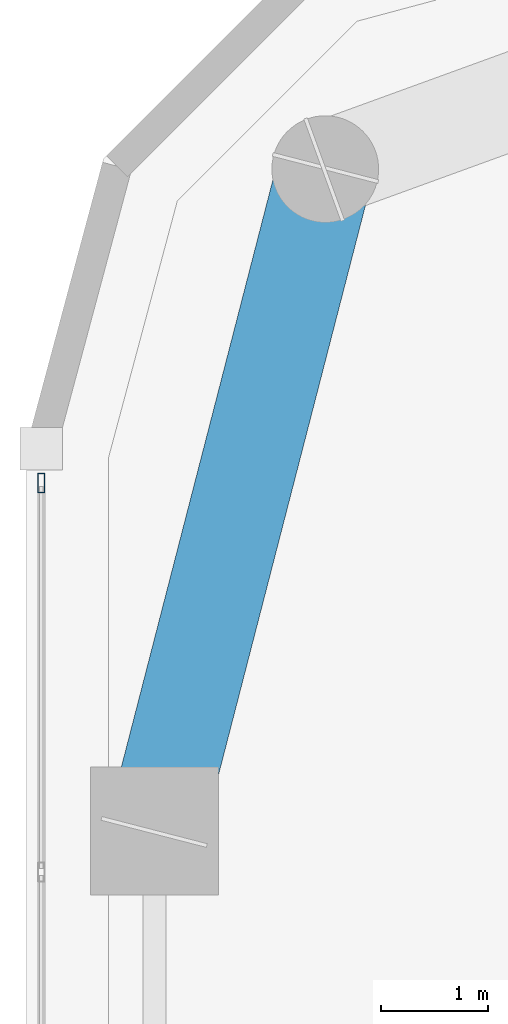
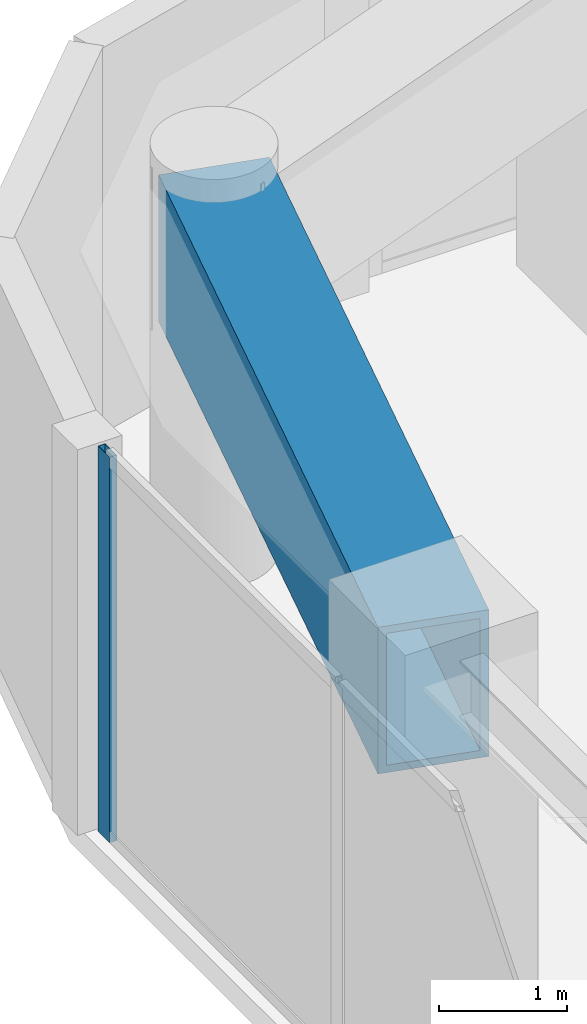
# One storey, part 15 of 30: 1 beam, 1 member, 1 element without a shape of its own.
"""IFC4 building model written with IfcOpenShell, lengths in metres."""

from ifc_helpers import new_model, si_unit, direction, frame, origin, origin_2d, place, context, subcontext, project, spatial, hollow_rectangle, extrude, material, layer, layer_set, material_profile, profile_set, type_object, element, aggregate, save


model = new_model("IFC4")

# Units and contexts
model_context = context("Model", 3, precision=1e-05, world=origin(), true_north=direction((0.0, 1.0)))
body_context = subcontext(model_context, "Body", "Model", "MODEL_VIEW")
ifc_project = project(units=[si_unit("LENGTHUNIT", "METRE"), si_unit("AREAUNIT", "SQUARE_METRE"), si_unit("VOLUMEUNIT", "CUBIC_METRE"), si_unit("PLANEANGLEUNIT", "RADIAN"), si_unit("MASSUNIT", "GRAM", prefix="KILO")], contexts=[model_context])

# Site, building, storey
site_placement = place(None, origin())
site = spatial("IfcSite", under=ifc_project, at=site_placement, CompositionType="ELEMENT")
building_placement = place(site_placement, origin())
building = spatial("IfcBuilding", under=site, at=building_placement, Name="Kiyonajd Concourse Tower", CompositionType="ELEMENT")
storey_placement = place(building_placement, frame((0.0, 0.0, 190.199951171875)))
storey = spatial("IfcBuildingStorey", under=building, at=storey_placement, Name="L48", CompositionType="ELEMENT", Elevation=190.199951171875)

# Beam
ifc_material_1 = material(Name="Steel ASTM A572 Grade 50", Category="steel")
ifc_material_profile_1 = material_profile(ifc_material_1, hollow_rectangle(XDim=0.89990234375, YDim=1.39990234375, WallThickness=0.070068359375, at=origin_2d()), Name="BOX-1400x900x70")
ifc_profile_set_1 = profile_set([ifc_material_profile_1], Name="Steel ASTM A572 Grade 50")
beam_type = type_object("IfcBeamType", Name="BM-XFER-1400", PredefinedType="BEAM", material=ifc_profile_set_1)
beam_placement = place(storey_placement, frame((20.800048828125, 59.60009765625, 2.97998046875), z_axis=(-0.249884937687, -0.968275538221, 0.0), x_axis=(0.968275538221, -0.249884937687, 0.0)))
element("IfcBeam", 1, at=beam_placement, inside=storey, type_object=beam_type, Name="L48 Perimeter Bundled Tube Spandrel", PredefinedType="BEAM", context=body_context, shape_type="SweptSolid", body=[
    extrude(hollow_rectangle(XDim=0.89990234375, YDim=1.39990234375, WallThickness=0.070068359375, at=origin_2d()), origin(), (0.0, 0.0, 1.0), 6.4033203125),
])

# Curtain wall, member
ifc_material_2 = material(Name="Thermally Broken Anodised Aluminium", Category="aluminium")
ifc_layer = layer(ifc_material_2, 0.179931640625)
ifc_layer_set = layer_set([ifc_layer], Name="Thermally Broken Anodised Aluminium")
curtain_wall_type = type_object("IfcCurtainWallType", Name="CW-SYS-03", PredefinedType="NOTDEFINED", material=ifc_layer_set)
curtain_wall_placement = place(storey_placement, origin())
curtain_wall = element("IfcCurtainWall", 2, at=curtain_wall_placement, inside=storey, type_object=curtain_wall_type, Name="L48 Unitised Curtain Wall CW3", PredefinedType="NOTDEFINED")
ifc_material_profile_2 = material_profile(ifc_material_2, hollow_rectangle(XDim=0.06494140625, YDim=0.179931640625, WallThickness=0.00390625, at=origin_2d()), Name="MULL-65x180")
ifc_profile_set_2 = profile_set([ifc_material_profile_2], Name="Thermally Broken Anodised Aluminium")
member_type = type_object("IfcMemberType", Name="MB-CW-MULL1", PredefinedType="MULLION", material=ifc_profile_set_2)
member_placement = place(storey_placement, frame((18.139892578125, 56.6591796875, 0.0), z_axis=(0.0, 0.0, 1.0), x_axis=(-1.0, 0.0, 0.0)))
member = element("IfcMember", 3, at=member_placement, type_object=member_type, Name="CW3 mullion 7", PredefinedType="MULLION", context=body_context, shape_type="SweptSolid", body=[
    extrude(hollow_rectangle(XDim=0.06494140625, YDim=0.179931640625, WallThickness=0.00390625, at=origin_2d()), origin(), (0.0, 0.0, 1.0), 3.679931640625),
])
aggregate(curtain_wall, [member])

save(model, "model.ifc")
